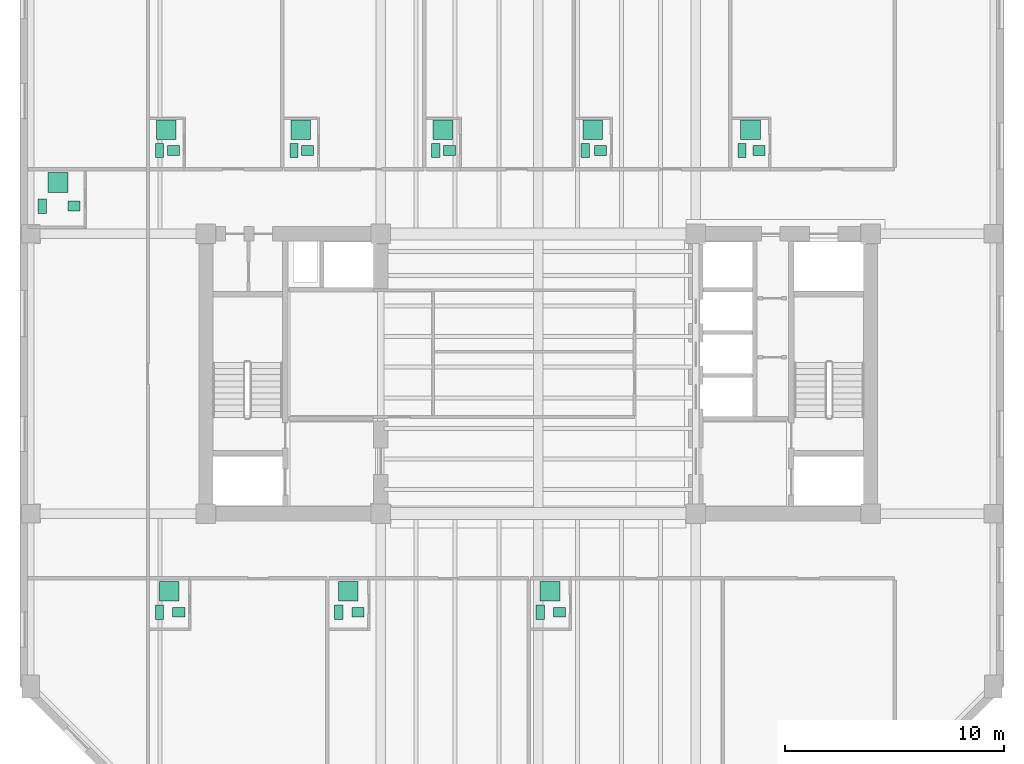
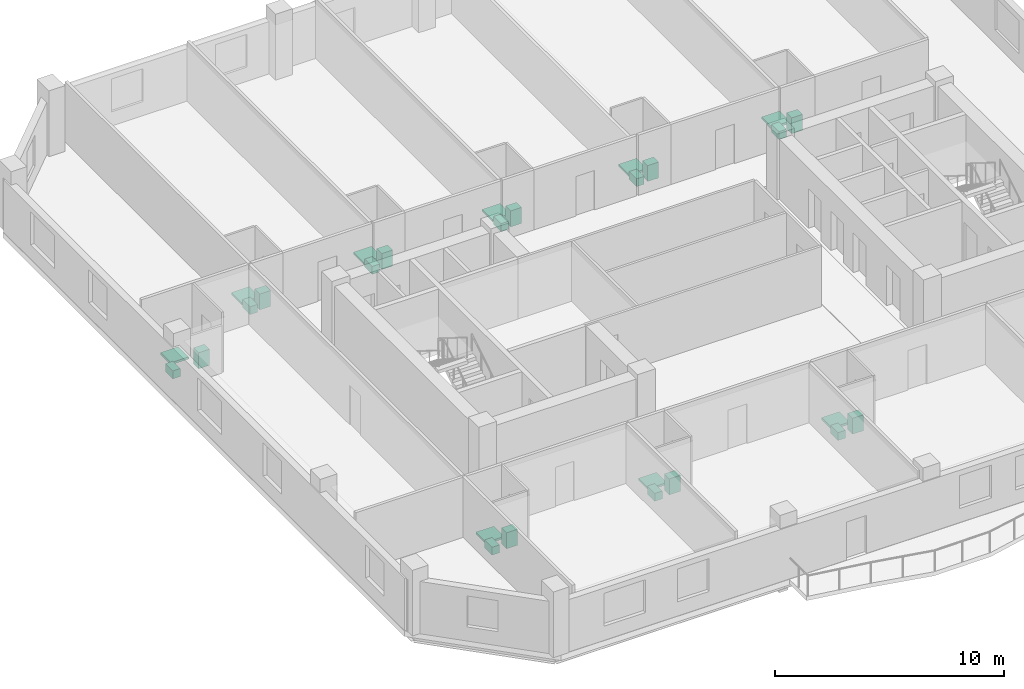
# One storey, part 10 of 10: 27 sanitary terminals.
"""IFC4 building model written with IfcOpenShell, lengths in metres."""

from ifc_helpers import new_model, si_unit, direction, frame, origin, origin_2d, place, context, subcontext, project, spatial, rectangle, extrude, material, type_object, element, save


model = new_model("IFC4")

# Units and contexts
model_context = context("Model", 3, precision=1e-05, world=origin(), true_north=direction((0.0, 1.0)))
body_context = subcontext(model_context, "Body", "Model", "MODEL_VIEW")
ifc_project = project(units=[si_unit("LENGTHUNIT", "METRE"), si_unit("AREAUNIT", "SQUARE_METRE"), si_unit("VOLUMEUNIT", "CUBIC_METRE"), si_unit("PLANEANGLEUNIT", "RADIAN"), si_unit("MASSUNIT", "GRAM", prefix="KILO")], contexts=[model_context])

# Site, building, storey
site_placement = place(None, origin())
site = spatial("IfcSite", under=ifc_project, at=site_placement, CompositionType="ELEMENT")
building_placement = place(site_placement, origin())
building = spatial("IfcBuilding", under=site, at=building_placement, Name="Kranthara Brick Stack", CompositionType="ELEMENT")
storey_placement = place(building_placement, frame((0.0, 0.0, 186.800048828125)))
storey = spatial("IfcBuildingStorey", under=building, at=storey_placement, Name="L48", CompositionType="ELEMENT", Elevation=186.800048828125)

# Sanitary terminals
ifc_material_1 = material(Name="Vitreous china sanitary porcelain", Category="other")
sanitary_terminal_type_1 = type_object("IfcSanitaryTerminalType", Name="SAN-BASIN", PredefinedType="WASHHANDBASIN", material=ifc_material_1)
for number, where, z_axis, x_axis, name in (
    (1, (11.56005859375, 16.294921875, 0.0), (0.0, 0.0, 1.0), (1.0, 0.0, 0.0), "L48 Washbasin 266"),
    (2, (19.756103515625, 16.294921875, 0.0), (0.0, 0.0, 1.0), (1.0, 0.0, 0.0), "L48 Washbasin 267"),
    (3, (28.97607421875, 16.294921875, 0.0), (0.0, 0.0, 1.0), (1.0, 0.0, 0.0), "L48 Washbasin 268"),
    (4, (11.31005859375, 37.405029296875, 0.0), (0.0, 0.0, 1.0), (1.0, 0.0, 0.0), "L48 Washbasin 269"),
    (5, (17.45703125, 37.405029296875, 0.0), (0.0, 0.0, 1.0), (1.0, 0.0, 0.0), "L48 Washbasin 270"),
    (6, (23.945068359375, 37.405029296875, 0.0), (0.0, 0.0, 1.0), (1.0, 0.0, 0.0), "L48 Washbasin 271"),
    (7, (30.845947265625, 37.405029296875, 0.0), (0.0, 0.0, 1.0), (1.0, 0.0, 0.0), "L48 Washbasin 272"),
    (8, (38.10009765625, 37.405029296875, 0.0), (0.0, 0.0, 1.0), (1.0, 0.0, 0.0), "L48 Washbasin 273"),
    (9, (6.760009765625, 34.864990234375, 0.0), (0.0, 0.0, 1.0), (1.0, 0.0, 0.0), "L48 Washbasin 274"),
):
    element("IfcSanitaryTerminal", number, at=place(storey_placement, frame(where, z_axis=z_axis, x_axis=x_axis)), inside=storey, type_object=sanitary_terminal_type_1, Name=name, PredefinedType="WASHHANDBASIN", context=body_context, shape_type="SweptSolid", body=[
        extrude(rectangle(XDim=0.550048828125, YDim=0.449951171875, at=origin_2d()), origin(), (0.0, 0.0, 1.0), 0.85009765625),
    ])
ifc_material_2 = material(Name="Acrylic and porcelain shower tray", Category="other")
sanitary_terminal_type_2 = type_object("IfcSanitaryTerminalType", Name="SAN-SHOWER", PredefinedType="SHOWER", material=ifc_material_2)
for number, where, z_axis, x_axis, name in (
    (10, (11.1201171875, 17.25, 0.0), (0.0, 0.0, 1.0), (1.0, 0.0, 0.0), "L48 Shower Tray 266"),
    (11, (19.31591796875, 17.25, 0.0), (0.0, 0.0, 1.0), (1.0, 0.0, 0.0), "L48 Shower Tray 267"),
    (12, (28.535888671875, 17.25, 0.0), (0.0, 0.0, 1.0), (1.0, 0.0, 0.0), "L48 Shower Tray 268"),
    (13, (10.9951171875, 38.360107421875, 0.0), (0.0, 0.0, 1.0), (1.0, 0.0, 0.0), "L48 Shower Tray 269"),
    (14, (17.14208984375, 38.360107421875, 0.0), (0.0, 0.0, 1.0), (1.0, 0.0, 0.0), "L48 Shower Tray 270"),
    (15, (23.6298828125, 38.360107421875, 0.0), (0.0, 0.0, 1.0), (1.0, 0.0, 0.0), "L48 Shower Tray 271"),
    (16, (30.49609375, 38.360107421875, 0.0), (0.0, 0.0, 1.0), (1.0, 0.0, 0.0), "L48 Shower Tray 272"),
    (17, (37.708984375, 38.360107421875, 0.0), (0.0, 0.0, 1.0), (1.0, 0.0, 0.0), "L48 Shower Tray 273"),
    (18, (6.0400390625, 35.949951171875, 0.0), (0.0, 0.0, 1.0), (1.0, 0.0, 0.0), "L48 Shower Tray 274"),
):
    element("IfcSanitaryTerminal", number, at=place(storey_placement, frame(where, z_axis=z_axis, x_axis=x_axis)), inside=storey, type_object=sanitary_terminal_type_2, Name=name, PredefinedType="SHOWER", context=body_context, shape_type="SweptSolid", body=[
        extrude(rectangle(XDim=0.89990234375, YDim=0.89990234375, at=origin_2d()), origin(), (0.0, 0.0, 1.0), 0.1201171875),
    ])
ifc_material_3 = material(Name="Vitreous china sanitary porcelain", Category="other")
sanitary_terminal_type_3 = type_object("IfcSanitaryTerminalType", Name="SAN-WC-PAN", PredefinedType="TOILETPAN", material=ifc_material_3)
for number, where, z_axis, x_axis, name in (
    (19, (10.679931640625, 16.294921875, 0.0), (0.0, 0.0, 1.0), (1.0, 0.0, 0.0), "L48 WC Pan 266"),
    (20, (18.8759765625, 16.294921875, 0.0), (0.0, 0.0, 1.0), (1.0, 0.0, 0.0), "L48 WC Pan 267"),
    (21, (28.095947265625, 16.294921875, 0.0), (0.0, 0.0, 1.0), (1.0, 0.0, 0.0), "L48 WC Pan 268"),
    (22, (10.679931640625, 37.405029296875, 0.0), (0.0, 0.0, 1.0), (1.0, 0.0, 0.0), "L48 WC Pan 269"),
    (23, (16.826904296875, 37.405029296875, 0.0), (0.0, 0.0, 1.0), (1.0, 0.0, 0.0), "L48 WC Pan 270"),
    (24, (23.31494140625, 37.405029296875, 0.0), (0.0, 0.0, 1.0), (1.0, 0.0, 0.0), "L48 WC Pan 271"),
    (25, (30.14501953125, 37.405029296875, 0.0), (0.0, 0.0, 1.0), (1.0, 0.0, 0.0), "L48 WC Pan 272"),
    (26, (37.31689453125, 37.405029296875, 0.0), (0.0, 0.0, 1.0), (1.0, 0.0, 0.0), "L48 WC Pan 273"),
    (27, (5.320068359375, 34.864990234375, 0.0), (0.0, 0.0, 1.0), (1.0, 0.0, 0.0), "L48 WC Pan 274"),
):
    element("IfcSanitaryTerminal", number, at=place(storey_placement, frame(where, z_axis=z_axis, x_axis=x_axis)), inside=storey, type_object=sanitary_terminal_type_3, Name=name, PredefinedType="TOILETPAN", context=body_context, shape_type="SweptSolid", body=[
        extrude(rectangle(XDim=0.3798828125, YDim=0.64990234375, at=origin_2d()), origin(), (0.0, 0.0, 1.0), 0.419921875),
    ])

save(model, "model.ifc")
